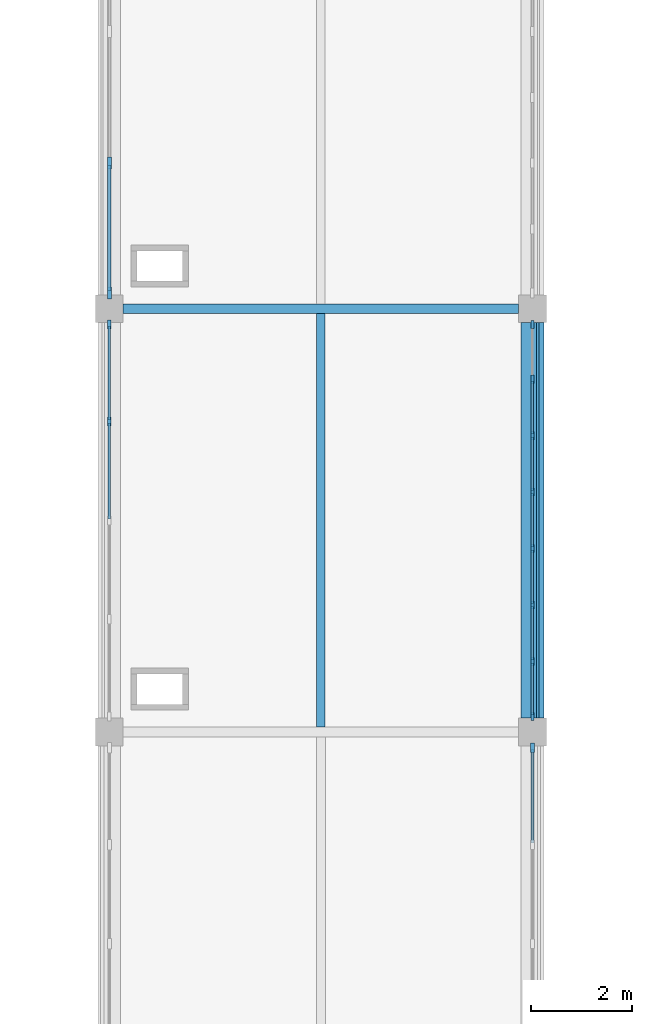
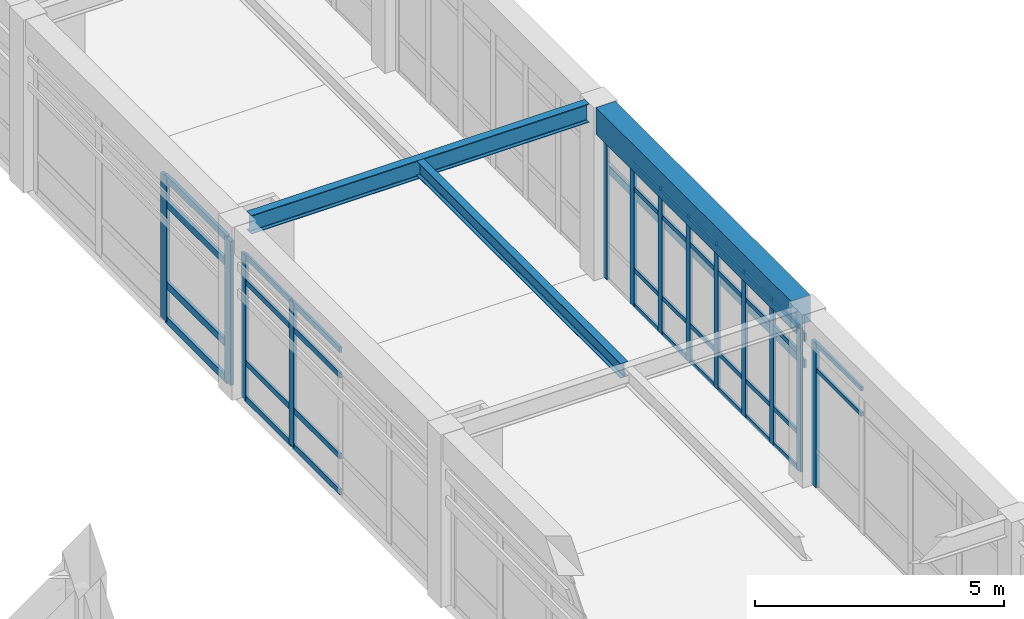
# One storey, part 23 of 78: 53 members, 3 beams, 4 elements without a shape of their own.
"""IFC4 building model written with IfcOpenShell, lengths in metres."""

from ifc_helpers import new_model, si_unit, direction, frame, origin, origin_2d, place, context, subcontext, project, spatial, rectangle, i_section, extrude, material, layer, layer_set, material_profile, profile_set, type_object, element, aggregate, save


model = new_model("IFC4")

# Units and contexts
model_context = context("Model", 3, precision=1e-05, world=origin(), true_north=direction((0.0, 1.0)))
body_context = subcontext(model_context, "Body", "Model", "MODEL_VIEW")
ifc_project = project(units=[si_unit("LENGTHUNIT", "METRE"), si_unit("AREAUNIT", "SQUARE_METRE"), si_unit("VOLUMEUNIT", "CUBIC_METRE"), si_unit("PLANEANGLEUNIT", "RADIAN"), si_unit("MASSUNIT", "GRAM", prefix="KILO")], contexts=[model_context])

# Site, building, storey
site_placement = place(None, origin())
site = spatial("IfcSite", under=ifc_project, at=site_placement, CompositionType="ELEMENT")
building_placement = place(site_placement, origin())
building = spatial("IfcBuilding", under=site, at=building_placement, Name="Porcellanite Civic Hall", CompositionType="ELEMENT")
storey_placement = place(building_placement, frame((0.0, 0.0, 10.260009765625)))
storey = spatial("IfcBuildingStorey", under=building, at=storey_placement, Name="L02", CompositionType="ELEMENT", Elevation=10.260009765625)

# Beam
ifc_material_1 = material(Name="Concrete N50 (50 MPa)", Category="concrete")
ifc_material_profile_1 = material_profile(ifc_material_1, rectangle(XDim=0.449951171875, YDim=0.64990234375, at=origin_2d()), Name="RC-450x650")
ifc_profile_set_1 = profile_set([ifc_material_profile_1], Name="Concrete N50 (50 MPa)")
beam_type_1 = type_object("IfcBeamType", Name="BM-RC650", PredefinedType="SPANDREL", material=ifc_profile_set_1)
beam_1_placement = place(storey_placement, frame((126.0, 75.87451171875, 3.9150390625), z_axis=(0.0, 1.0, 0.0), x_axis=(-1.0, 0.0, 0.0)))
element("IfcBeam", 1, at=beam_1_placement, inside=storey, type_object=beam_type_1, Name="Beam Y L02 16-10", PredefinedType="SPANDREL", context=body_context, shape_type="SweptSolid", body=[
    extrude(rectangle(XDim=0.449951171875, YDim=0.64990234375, at=origin_2d()), origin(), (0.0, 0.0, 1.0), 7.85107421875),
])

# Curtain wall, members
ifc_material_2 = material(Name="Anodised aluminium and solar laminated glass", Category="aluminium")
ifc_layer_1 = layer(ifc_material_2, 0.179931640625)
ifc_layer_set_1 = layer_set([ifc_layer_1], Name="Anodised aluminium and solar laminated glass")
curtain_wall_type_1 = type_object("IfcCurtainWallType", Name="CW-SYS08", PredefinedType="NOTDEFINED", material=ifc_layer_set_1)
curtain_wall_1_placement = place(storey_placement, origin())
curtain_wall_1 = element("IfcCurtainWall", 2, at=curtain_wall_1_placement, inside=storey, type_object=curtain_wall_type_1, Name="Curtain wall CW-166", PredefinedType="NOTDEFINED")
ifc_material_3 = material(Name="Anodised aluminium 6063-T6", Category="aluminium")
ifc_material_profile_2 = material_profile(ifc_material_3, rectangle(XDim=0.080078125, YDim=0.239990234375, at=origin_2d()), Name="AL-80x240")
ifc_profile_set_2 = profile_set([ifc_material_profile_2], Name="Anodised aluminium 6063-T6")
member_type_1 = type_object("IfcMemberType", Name="CWM-01", PredefinedType="MULLION", material=ifc_profile_set_2)
member_1_placement = place(storey_placement, frame((117.60009765625, 84.31591796875, 0.0), z_axis=(0.0, 0.0, 1.0), x_axis=(-1.0, 0.0, 0.0)))
member_1 = element("IfcMember", 3, at=member_1_placement, type_object=member_type_1, Name="CW-166 mullion 1", PredefinedType="MULLION", context=body_context, shape_type="SweptSolid", body=[
    extrude(rectangle(XDim=0.080078125, YDim=0.239990234375, at=origin_2d()), origin(), (0.0, 0.0, 1.0), 3.5400390625),
])
member_2_placement = place(storey_placement, frame((117.60009765625, 86.89208984375, 0.0), z_axis=(0.0, 0.0, 1.0), x_axis=(-1.0, 0.0, 0.0)))
member_2 = element("IfcMember", 4, at=member_2_placement, type_object=member_type_1, Name="CW-166 mullion 2", PredefinedType="MULLION", context=body_context, shape_type="SweptSolid", body=[
    extrude(rectangle(XDim=0.080078125, YDim=0.239990234375, at=origin_2d()), origin(), (0.0, 0.0, 1.0), 3.5400390625),
])

# Curtain wall, member
ifc_material_4 = material(Name="Anodised aluminium and solar laminated glass", Category="aluminium")
ifc_layer_2 = layer(ifc_material_4, 0.179931640625)
ifc_layer_set_2 = layer_set([ifc_layer_2], Name="Anodised aluminium and solar laminated glass")
curtain_wall_type_2 = type_object("IfcCurtainWallType", Name="CW-SYS04", PredefinedType="NOTDEFINED", material=ifc_layer_set_2)
curtain_wall_2_placement = place(storey_placement, origin())
curtain_wall_2 = element("IfcCurtainWall", 5, at=curtain_wall_2_placement, inside=storey, type_object=curtain_wall_type_2, Name="Curtain wall CW-163", PredefinedType="NOTDEFINED")
ifc_material_5 = material(Name="Anodised aluminium 6063-T6", Category="aluminium")
ifc_material_profile_3 = material_profile(ifc_material_5, rectangle(XDim=0.074951171875, YDim=0.18994140625, at=origin_2d()), Name="AL-75x190")
ifc_profile_set_3 = profile_set([ifc_material_profile_3], Name="Anodised aluminium 6063-T6")
member_type_2 = type_object("IfcMemberType", Name="CWM-04", PredefinedType="MULLION", material=ifc_profile_set_3)
member_3_placement = place(storey_placement, frame((126.0, 75.28662109375, 0.0), z_axis=(0.0, 0.0, 1.0), x_axis=(1.0, 0.0, 0.0)))
member_3 = element("IfcMember", 6, at=member_3_placement, type_object=member_type_2, Name="CW-163 mullion 1", PredefinedType="MULLION", context=body_context, shape_type="SweptSolid", body=[
    extrude(rectangle(XDim=0.074951171875, YDim=0.18994140625, at=origin_2d()), origin(), (0.0, 0.0, 1.0), 3.5400390625),
])

# Curtain wall, members
ifc_material_6 = material(Name="Anodised aluminium and solar laminated glass", Category="aluminium")
ifc_layer_3 = layer(ifc_material_6, 0.179931640625)
ifc_layer_set_3 = layer_set([ifc_layer_3], Name="Anodised aluminium and solar laminated glass")
curtain_wall_type_3 = type_object("IfcCurtainWallType", Name="CW-SYS06", PredefinedType="NOTDEFINED", material=ifc_layer_set_3)
curtain_wall_3_placement = place(storey_placement, origin())
curtain_wall_3 = element("IfcCurtainWall", 7, at=curtain_wall_3_placement, inside=storey, type_object=curtain_wall_type_3, Name="Curtain wall CW-164", PredefinedType="NOTDEFINED")
ifc_material_7 = material(Name="Anodised aluminium 6063-T6", Category="aluminium")
ifc_material_profile_4 = material_profile(ifc_material_7, rectangle(XDim=0.06494140625, YDim=0.179931640625, at=origin_2d()), Name="AL-65x180")
ifc_profile_set_4 = profile_set([ifc_material_profile_4], Name="Anodised aluminium 6063-T6")
member_type_3 = type_object("IfcMemberType", Name="CWM-06", PredefinedType="MULLION", material=ifc_profile_set_4)
member_4_placement = place(storey_placement, frame((117.60009765625, 81.761962890625, 0.0), z_axis=(0.0, 0.0, 1.0), x_axis=(-1.0, 0.0, 0.0)))
member_4 = element("IfcMember", 8, at=member_4_placement, type_object=member_type_3, Name="CW-164 mullion 4", PredefinedType="MULLION", context=body_context, shape_type="SweptSolid", body=[
    extrude(rectangle(XDim=0.06494140625, YDim=0.179931640625, at=origin_2d()), origin(), (0.0, 0.0, 1.0), 3.5400390625),
])
member_5_placement = place(storey_placement, frame((117.60009765625, 83.69140625, 0.0), z_axis=(0.0, 0.0, 1.0), x_axis=(-1.0, 0.0, 0.0)))
member_5 = element("IfcMember", 9, at=member_5_placement, type_object=member_type_3, Name="CW-164 mullion 5", PredefinedType="MULLION", context=body_context, shape_type="SweptSolid", body=[
    extrude(rectangle(XDim=0.06494140625, YDim=0.179931640625, at=origin_2d()), origin(), (0.0, 0.0, 1.0), 3.5400390625),
])

ifc_material_8 = material(Name="Anodised aluminium and solar laminated glass", Category="aluminium")
ifc_layer_4 = layer(ifc_material_8, 0.179931640625)
ifc_layer_set_4 = layer_set([ifc_layer_4], Name="Anodised aluminium and solar laminated glass")
curtain_wall_type_4 = type_object("IfcCurtainWallType", Name="CW-SYS07", PredefinedType="NOTDEFINED", material=ifc_layer_set_4)
curtain_wall_4_placement = place(storey_placement, origin())
curtain_wall_4 = element("IfcCurtainWall", 10, at=curtain_wall_4_placement, inside=storey, type_object=curtain_wall_type_4, Name="Curtain wall CW-165", PredefinedType="NOTDEFINED")
ifc_material_9 = material(Name="Anodised aluminium 6063-T6", Category="aluminium")
ifc_material_profile_5 = material_profile(ifc_material_9, rectangle(XDim=0.06005859375, YDim=0.159912109375, at=origin_2d()), Name="AL-60x160")
ifc_profile_set_5 = profile_set([ifc_material_profile_5], Name="Anodised aluminium 6063-T6")
member_type_4 = type_object("IfcMemberType", Name="CWM-07", PredefinedType="MULLION", material=ifc_profile_set_5)
member_6_placement = place(storey_placement, frame((126.0, 83.694091796875, 0.0), z_axis=(0.0, 0.0, 1.0), x_axis=(1.0, 0.0, 0.0)))
member_6 = element("IfcMember", 11, at=member_6_placement, type_object=member_type_4, Name="CW-165 mullion 1", PredefinedType="MULLION", context=body_context, shape_type="SweptSolid", body=[
    extrude(rectangle(XDim=0.06005859375, YDim=0.159912109375, at=origin_2d()), origin(), (0.0, 0.0, 1.0), 3.5400390625),
])
member_7_placement = place(storey_placement, frame((126.0, 82.602783203125, 0.0), z_axis=(0.0, 0.0, 1.0), x_axis=(1.0, 0.0, 0.0)))
member_7 = element("IfcMember", 12, at=member_7_placement, type_object=member_type_4, Name="CW-165 mullion 2", PredefinedType="MULLION", context=body_context, shape_type="SweptSolid", body=[
    extrude(rectangle(XDim=0.06005859375, YDim=0.159912109375, at=origin_2d()), origin(), (0.0, 0.0, 1.0), 3.5400390625),
])
member_8_placement = place(storey_placement, frame((126.0, 81.481689453125, 0.0), z_axis=(0.0, 0.0, 1.0), x_axis=(1.0, 0.0, 0.0)))
member_8 = element("IfcMember", 13, at=member_8_placement, type_object=member_type_4, Name="CW-165 mullion 3", PredefinedType="MULLION", context=body_context, shape_type="SweptSolid", body=[
    extrude(rectangle(XDim=0.06005859375, YDim=0.159912109375, at=origin_2d()), origin(), (0.0, 0.0, 1.0), 3.5400390625),
])
member_9_placement = place(storey_placement, frame((126.0, 80.360595703125, 0.0), z_axis=(0.0, 0.0, 1.0), x_axis=(1.0, 0.0, 0.0)))
member_9 = element("IfcMember", 14, at=member_9_placement, type_object=member_type_4, Name="CW-165 mullion 4", PredefinedType="MULLION", context=body_context, shape_type="SweptSolid", body=[
    extrude(rectangle(XDim=0.06005859375, YDim=0.159912109375, at=origin_2d()), origin(), (0.0, 0.0, 1.0), 3.5400390625),
])
member_10_placement = place(storey_placement, frame((126.0, 79.239501953125, 0.0), z_axis=(0.0, 0.0, 1.0), x_axis=(1.0, 0.0, 0.0)))
member_10 = element("IfcMember", 15, at=member_10_placement, type_object=member_type_4, Name="CW-165 mullion 5", PredefinedType="MULLION", context=body_context, shape_type="SweptSolid", body=[
    extrude(rectangle(XDim=0.06005859375, YDim=0.159912109375, at=origin_2d()), origin(), (0.0, 0.0, 1.0), 3.5400390625),
])
member_11_placement = place(storey_placement, frame((126.0, 78.1181640625, 0.0), z_axis=(0.0, 0.0, 1.0), x_axis=(1.0, 0.0, 0.0)))
member_11 = element("IfcMember", 16, at=member_11_placement, type_object=member_type_4, Name="CW-165 mullion 6", PredefinedType="MULLION", context=body_context, shape_type="SweptSolid", body=[
    extrude(rectangle(XDim=0.06005859375, YDim=0.159912109375, at=origin_2d()), origin(), (0.0, 0.0, 1.0), 3.5400390625),
])
member_12_placement = place(storey_placement, frame((126.0, 76.9970703125, 0.0), z_axis=(0.0, 0.0, 1.0), x_axis=(1.0, 0.0, 0.0)))
member_12 = element("IfcMember", 17, at=member_12_placement, type_object=member_type_4, Name="CW-165 mullion 7", PredefinedType="MULLION", context=body_context, shape_type="SweptSolid", body=[
    extrude(rectangle(XDim=0.06005859375, YDim=0.159912109375, at=origin_2d()), origin(), (0.0, 0.0, 1.0), 3.5400390625),
])
member_13_placement = place(storey_placement, frame((126.0, 75.906005859375, 0.0), z_axis=(0.0, 0.0, 1.0), x_axis=(1.0, 0.0, 0.0)))
member_13 = element("IfcMember", 18, at=member_13_placement, type_object=member_type_4, Name="CW-165 mullion 8", PredefinedType="MULLION", context=body_context, shape_type="SweptSolid", body=[
    extrude(rectangle(XDim=0.06005859375, YDim=0.159912109375, at=origin_2d()), origin(), (0.0, 0.0, 1.0), 3.5400390625),
])

# Member
ifc_material_10 = material(Name="Anodised aluminium 6063-T6", Category="aluminium")
ifc_material_profile_6 = material_profile(ifc_material_10, rectangle(XDim=0.070068359375, YDim=0.175048828125, at=origin_2d()), Name="AL-70x175")
ifc_profile_set_6 = profile_set([ifc_material_profile_6], Name="Anodised aluminium 6063-T6")
member_type_5 = type_object("IfcMemberType", Name="CWT-01", PredefinedType="USERDEFINED", material=ifc_profile_set_6)
member_14_placement = place(storey_placement, frame((117.60009765625, 84.35595703125, 0.034912109375), z_axis=(0.0, 1.0, 0.0), x_axis=(-1.0, 0.0, 0.0)))
member_14 = element("IfcMember", 19, at=member_14_placement, type_object=member_type_5, Name="CW-166 transom 1.1", ObjectType="TRANSOM", PredefinedType="USERDEFINED", context=body_context, shape_type="SweptSolid", body=[
    extrude(rectangle(XDim=0.070068359375, YDim=0.175048828125, at=origin_2d()), origin(), (0.0, 0.0, 1.0), 2.49609375),
])

member_15_placement = place(storey_placement, frame((117.60009765625, 84.35595703125, 0.89990234375), z_axis=(0.0, 1.0, 0.0), x_axis=(-1.0, 0.0, 0.0)))
member_15 = element("IfcMember", 20, at=member_15_placement, type_object=member_type_5, Name="CW-166 transom 1.2", ObjectType="TRANSOM", PredefinedType="USERDEFINED", context=body_context, shape_type="SweptSolid", body=[
    extrude(rectangle(XDim=0.070068359375, YDim=0.175048828125, at=origin_2d()), origin(), (0.0, 0.0, 1.0), 2.49609375),
])

member_16_placement = place(storey_placement, frame((117.60009765625, 84.35595703125, 2.889892578125), z_axis=(0.0, 1.0, 0.0), x_axis=(-1.0, 0.0, 0.0)))
member_16 = element("IfcMember", 21, at=member_16_placement, type_object=member_type_5, Name="CW-166 transom 1.3", ObjectType="TRANSOM", PredefinedType="USERDEFINED", context=body_context, shape_type="SweptSolid", body=[
    extrude(rectangle(XDim=0.070068359375, YDim=0.175048828125, at=origin_2d()), origin(), (0.0, 0.0, 1.0), 2.49609375),
])

member_17_placement = place(storey_placement, frame((117.60009765625, 84.35595703125, 3.5048828125), z_axis=(0.0, 1.0, 0.0), x_axis=(-1.0, 0.0, 0.0)))
member_17 = element("IfcMember", 22, at=member_17_placement, type_object=member_type_5, Name="CW-166 transom 1.4", ObjectType="TRANSOM", PredefinedType="USERDEFINED", context=body_context, shape_type="SweptSolid", body=[
    extrude(rectangle(XDim=0.070068359375, YDim=0.175048828125, at=origin_2d()), origin(), (0.0, 0.0, 1.0), 2.49609375),
])

aggregate(curtain_wall_1, [member_1, member_2, member_14, member_15, member_16, member_17])

ifc_material_11 = material(Name="Anodised aluminium 6063-T6", Category="aluminium")
ifc_material_profile_7 = material_profile(ifc_material_11, rectangle(XDim=0.054931640625, YDim=0.10009765625, at=origin_2d()), Name="AL-55x100")
ifc_profile_set_7 = profile_set([ifc_material_profile_7], Name="Anodised aluminium 6063-T6")
member_type_6 = type_object("IfcMemberType", Name="CWT-05", PredefinedType="USERDEFINED", material=ifc_profile_set_7)
member_18_placement = place(storey_placement, frame((126.0, 75.2490234375, 2.889892578125), z_axis=(0.0, -1.0, 0.0), x_axis=(1.0, 0.0, 0.0)))
member_18 = element("IfcMember", 23, at=member_18_placement, type_object=member_type_6, Name="CW-163 transom 1.3", ObjectType="TRANSOM", PredefinedType="USERDEFINED", context=body_context, shape_type="SweptSolid", body=[
    extrude(rectangle(XDim=0.054931640625, YDim=0.10009765625, at=origin_2d()), origin(), (0.0, 0.0, 1.0), 1.849609375),
])

member_19_placement = place(storey_placement, frame((126.0, 75.2490234375, 3.512451171875), z_axis=(0.0, -1.0, 0.0), x_axis=(1.0, 0.0, 0.0)))
member_19 = element("IfcMember", 24, at=member_19_placement, type_object=member_type_6, Name="CW-163 transom 1.4", ObjectType="TRANSOM", PredefinedType="USERDEFINED", context=body_context, shape_type="SweptSolid", body=[
    extrude(rectangle(XDim=0.054931640625, YDim=0.10009765625, at=origin_2d()), origin(), (0.0, 0.0, 1.0), 1.849609375),
])

aggregate(curtain_wall_2, [member_3, member_18, member_19])

ifc_material_12 = material(Name="Anodised aluminium 6063-T6", Category="aluminium")
ifc_material_profile_8 = material_profile(ifc_material_12, rectangle(XDim=0.050048828125, YDim=0.139892578125, at=origin_2d()), Name="AL-50x140")
ifc_profile_set_8 = profile_set([ifc_material_profile_8], Name="Anodised aluminium 6063-T6")
member_type_7 = type_object("IfcMemberType", Name="CWT-06", PredefinedType="USERDEFINED", material=ifc_profile_set_8)
member_20_placement = place(storey_placement, frame((117.60009765625, 79.83251953125, 0.02490234375), z_axis=(0.0, 1.0, 0.0), x_axis=(-1.0, 0.0, 0.0)))
member_20 = element("IfcMember", 25, at=member_20_placement, type_object=member_type_7, Name="CW-164 transom 3.1", ObjectType="TRANSOM", PredefinedType="USERDEFINED", context=body_context, shape_type="SweptSolid", body=[
    extrude(rectangle(XDim=0.050048828125, YDim=0.139892578125, at=origin_2d()), origin(), (0.0, 0.0, 1.0), 1.89697265625),
])

member_21_placement = place(storey_placement, frame((117.60009765625, 79.83251953125, 0.89990234375), z_axis=(0.0, 1.0, 0.0), x_axis=(-1.0, 0.0, 0.0)))
member_21 = element("IfcMember", 26, at=member_21_placement, type_object=member_type_7, Name="CW-164 transom 3.2", ObjectType="TRANSOM", PredefinedType="USERDEFINED", context=body_context, shape_type="SweptSolid", body=[
    extrude(rectangle(XDim=0.050048828125, YDim=0.139892578125, at=origin_2d()), origin(), (0.0, 0.0, 1.0), 1.89697265625),
])

member_22_placement = place(storey_placement, frame((117.60009765625, 79.83251953125, 2.889892578125), z_axis=(0.0, 1.0, 0.0), x_axis=(-1.0, 0.0, 0.0)))
member_22 = element("IfcMember", 27, at=member_22_placement, type_object=member_type_7, Name="CW-164 transom 3.3", ObjectType="TRANSOM", PredefinedType="USERDEFINED", context=body_context, shape_type="SweptSolid", body=[
    extrude(rectangle(XDim=0.050048828125, YDim=0.139892578125, at=origin_2d()), origin(), (0.0, 0.0, 1.0), 1.89697265625),
])

member_23_placement = place(storey_placement, frame((117.60009765625, 79.83251953125, 3.514892578125), z_axis=(0.0, 1.0, 0.0), x_axis=(-1.0, 0.0, 0.0)))
member_23 = element("IfcMember", 28, at=member_23_placement, type_object=member_type_7, Name="CW-164 transom 3.4", ObjectType="TRANSOM", PredefinedType="USERDEFINED", context=body_context, shape_type="SweptSolid", body=[
    extrude(rectangle(XDim=0.050048828125, YDim=0.139892578125, at=origin_2d()), origin(), (0.0, 0.0, 1.0), 1.89697265625),
])

member_24_placement = place(storey_placement, frame((117.60009765625, 81.79443359375, 0.02490234375), z_axis=(0.0, 1.0, 0.0), x_axis=(-1.0, 0.0, 0.0)))
member_24 = element("IfcMember", 29, at=member_24_placement, type_object=member_type_7, Name="CW-164 transom 4.1", ObjectType="TRANSOM", PredefinedType="USERDEFINED", context=body_context, shape_type="SweptSolid", body=[
    extrude(rectangle(XDim=0.050048828125, YDim=0.139892578125, at=origin_2d()), origin(), (0.0, 0.0, 1.0), 1.864501953125),
])

member_25_placement = place(storey_placement, frame((117.60009765625, 81.79443359375, 0.89990234375), z_axis=(0.0, 1.0, 0.0), x_axis=(-1.0, 0.0, 0.0)))
member_25 = element("IfcMember", 30, at=member_25_placement, type_object=member_type_7, Name="CW-164 transom 4.2", ObjectType="TRANSOM", PredefinedType="USERDEFINED", context=body_context, shape_type="SweptSolid", body=[
    extrude(rectangle(XDim=0.050048828125, YDim=0.139892578125, at=origin_2d()), origin(), (0.0, 0.0, 1.0), 1.864501953125),
])

member_26_placement = place(storey_placement, frame((117.60009765625, 81.79443359375, 2.889892578125), z_axis=(0.0, 1.0, 0.0), x_axis=(-1.0, 0.0, 0.0)))
member_26 = element("IfcMember", 31, at=member_26_placement, type_object=member_type_7, Name="CW-164 transom 4.3", ObjectType="TRANSOM", PredefinedType="USERDEFINED", context=body_context, shape_type="SweptSolid", body=[
    extrude(rectangle(XDim=0.050048828125, YDim=0.139892578125, at=origin_2d()), origin(), (0.0, 0.0, 1.0), 1.864501953125),
])

member_27_placement = place(storey_placement, frame((117.60009765625, 81.79443359375, 3.514892578125), z_axis=(0.0, 1.0, 0.0), x_axis=(-1.0, 0.0, 0.0)))
member_27 = element("IfcMember", 32, at=member_27_placement, type_object=member_type_7, Name="CW-164 transom 4.4", ObjectType="TRANSOM", PredefinedType="USERDEFINED", context=body_context, shape_type="SweptSolid", body=[
    extrude(rectangle(XDim=0.050048828125, YDim=0.139892578125, at=origin_2d()), origin(), (0.0, 0.0, 1.0), 1.864501953125),
])

aggregate(curtain_wall_3, [member_4, member_5, member_20, member_21, member_22, member_23, member_24, member_25, member_26, member_27])

ifc_material_13 = material(Name="Anodised aluminium 6063-T6", Category="aluminium")
ifc_material_profile_9 = material_profile(ifc_material_13, rectangle(XDim=0.050048828125, YDim=0.110107421875, at=origin_2d()), Name="AL-50x110")
ifc_profile_set_9 = profile_set([ifc_material_profile_9], Name="Anodised aluminium 6063-T6")
member_type_8 = type_object("IfcMemberType", Name="CWT-07", PredefinedType="USERDEFINED", material=ifc_profile_set_9)
member_28_placement = place(storey_placement, frame((126.0, 82.57275390625, 0.02490234375), z_axis=(0.0, -1.0, 0.0), x_axis=(1.0, 0.0, 0.0)))
member_28 = element("IfcMember", 33, at=member_28_placement, type_object=member_type_8, Name="CW-165 transom 2.1", ObjectType="TRANSOM", PredefinedType="USERDEFINED", context=body_context, shape_type="SweptSolid", body=[
    extrude(rectangle(XDim=0.050048828125, YDim=0.110107421875, at=origin_2d()), origin(), (0.0, 0.0, 1.0), 1.06103515625),
])

member_29_placement = place(storey_placement, frame((126.0, 82.57275390625, 0.89990234375), z_axis=(0.0, -1.0, 0.0), x_axis=(1.0, 0.0, 0.0)))
member_29 = element("IfcMember", 34, at=member_29_placement, type_object=member_type_8, Name="CW-165 transom 2.2", ObjectType="TRANSOM", PredefinedType="USERDEFINED", context=body_context, shape_type="SweptSolid", body=[
    extrude(rectangle(XDim=0.050048828125, YDim=0.110107421875, at=origin_2d()), origin(), (0.0, 0.0, 1.0), 1.06103515625),
])

member_30_placement = place(storey_placement, frame((126.0, 82.57275390625, 2.889892578125), z_axis=(0.0, -1.0, 0.0), x_axis=(1.0, 0.0, 0.0)))
member_30 = element("IfcMember", 35, at=member_30_placement, type_object=member_type_8, Name="CW-165 transom 2.3", ObjectType="TRANSOM", PredefinedType="USERDEFINED", context=body_context, shape_type="SweptSolid", body=[
    extrude(rectangle(XDim=0.050048828125, YDim=0.110107421875, at=origin_2d()), origin(), (0.0, 0.0, 1.0), 1.06103515625),
])

member_31_placement = place(storey_placement, frame((126.0, 82.57275390625, 3.514892578125), z_axis=(0.0, -1.0, 0.0), x_axis=(1.0, 0.0, 0.0)))
member_31 = element("IfcMember", 36, at=member_31_placement, type_object=member_type_8, Name="CW-165 transom 2.4", ObjectType="TRANSOM", PredefinedType="USERDEFINED", context=body_context, shape_type="SweptSolid", body=[
    extrude(rectangle(XDim=0.050048828125, YDim=0.110107421875, at=origin_2d()), origin(), (0.0, 0.0, 1.0), 1.06103515625),
])

member_32_placement = place(storey_placement, frame((126.0, 81.45166015625, 0.02490234375), z_axis=(0.0, -1.0, 0.0), x_axis=(1.0, 0.0, 0.0)))
member_32 = element("IfcMember", 37, at=member_32_placement, type_object=member_type_8, Name="CW-165 transom 3.1", ObjectType="TRANSOM", PredefinedType="USERDEFINED", context=body_context, shape_type="SweptSolid", body=[
    extrude(rectangle(XDim=0.050048828125, YDim=0.110107421875, at=origin_2d()), origin(), (0.0, 0.0, 1.0), 1.06103515625),
])

member_33_placement = place(storey_placement, frame((126.0, 81.45166015625, 0.89990234375), z_axis=(0.0, -1.0, 0.0), x_axis=(1.0, 0.0, 0.0)))
member_33 = element("IfcMember", 38, at=member_33_placement, type_object=member_type_8, Name="CW-165 transom 3.2", ObjectType="TRANSOM", PredefinedType="USERDEFINED", context=body_context, shape_type="SweptSolid", body=[
    extrude(rectangle(XDim=0.050048828125, YDim=0.110107421875, at=origin_2d()), origin(), (0.0, 0.0, 1.0), 1.06103515625),
])

member_34_placement = place(storey_placement, frame((126.0, 81.45166015625, 2.889892578125), z_axis=(0.0, -1.0, 0.0), x_axis=(1.0, 0.0, 0.0)))
member_34 = element("IfcMember", 39, at=member_34_placement, type_object=member_type_8, Name="CW-165 transom 3.3", ObjectType="TRANSOM", PredefinedType="USERDEFINED", context=body_context, shape_type="SweptSolid", body=[
    extrude(rectangle(XDim=0.050048828125, YDim=0.110107421875, at=origin_2d()), origin(), (0.0, 0.0, 1.0), 1.06103515625),
])

member_35_placement = place(storey_placement, frame((126.0, 81.45166015625, 3.514892578125), z_axis=(0.0, -1.0, 0.0), x_axis=(1.0, 0.0, 0.0)))
member_35 = element("IfcMember", 40, at=member_35_placement, type_object=member_type_8, Name="CW-165 transom 3.4", ObjectType="TRANSOM", PredefinedType="USERDEFINED", context=body_context, shape_type="SweptSolid", body=[
    extrude(rectangle(XDim=0.050048828125, YDim=0.110107421875, at=origin_2d()), origin(), (0.0, 0.0, 1.0), 1.06103515625),
])

member_36_placement = place(storey_placement, frame((126.0, 80.33056640625, 0.02490234375), z_axis=(0.0, -1.0, 0.0), x_axis=(1.0, 0.0, 0.0)))
member_36 = element("IfcMember", 41, at=member_36_placement, type_object=member_type_8, Name="CW-165 transom 4.1", ObjectType="TRANSOM", PredefinedType="USERDEFINED", context=body_context, shape_type="SweptSolid", body=[
    extrude(rectangle(XDim=0.050048828125, YDim=0.110107421875, at=origin_2d()), origin(), (0.0, 0.0, 1.0), 1.06103515625),
])

member_37_placement = place(storey_placement, frame((126.0, 80.33056640625, 0.89990234375), z_axis=(0.0, -1.0, 0.0), x_axis=(1.0, 0.0, 0.0)))
member_37 = element("IfcMember", 42, at=member_37_placement, type_object=member_type_8, Name="CW-165 transom 4.2", ObjectType="TRANSOM", PredefinedType="USERDEFINED", context=body_context, shape_type="SweptSolid", body=[
    extrude(rectangle(XDim=0.050048828125, YDim=0.110107421875, at=origin_2d()), origin(), (0.0, 0.0, 1.0), 1.06103515625),
])

member_38_placement = place(storey_placement, frame((126.0, 80.33056640625, 2.889892578125), z_axis=(0.0, -1.0, 0.0), x_axis=(1.0, 0.0, 0.0)))
member_38 = element("IfcMember", 43, at=member_38_placement, type_object=member_type_8, Name="CW-165 transom 4.3", ObjectType="TRANSOM", PredefinedType="USERDEFINED", context=body_context, shape_type="SweptSolid", body=[
    extrude(rectangle(XDim=0.050048828125, YDim=0.110107421875, at=origin_2d()), origin(), (0.0, 0.0, 1.0), 1.06103515625),
])

member_39_placement = place(storey_placement, frame((126.0, 80.33056640625, 3.514892578125), z_axis=(0.0, -1.0, 0.0), x_axis=(1.0, 0.0, 0.0)))
member_39 = element("IfcMember", 44, at=member_39_placement, type_object=member_type_8, Name="CW-165 transom 4.4", ObjectType="TRANSOM", PredefinedType="USERDEFINED", context=body_context, shape_type="SweptSolid", body=[
    extrude(rectangle(XDim=0.050048828125, YDim=0.110107421875, at=origin_2d()), origin(), (0.0, 0.0, 1.0), 1.06103515625),
])

member_40_placement = place(storey_placement, frame((126.0, 79.20947265625, 0.02490234375), z_axis=(0.0, -1.0, 0.0), x_axis=(1.0, 0.0, 0.0)))
member_40 = element("IfcMember", 45, at=member_40_placement, type_object=member_type_8, Name="CW-165 transom 5.1", ObjectType="TRANSOM", PredefinedType="USERDEFINED", context=body_context, shape_type="SweptSolid", body=[
    extrude(rectangle(XDim=0.050048828125, YDim=0.110107421875, at=origin_2d()), origin(), (0.0, 0.0, 1.0), 1.061279296875),
])

member_41_placement = place(storey_placement, frame((126.0, 79.20947265625, 0.89990234375), z_axis=(0.0, -1.0, 0.0), x_axis=(1.0, 0.0, 0.0)))
member_41 = element("IfcMember", 46, at=member_41_placement, type_object=member_type_8, Name="CW-165 transom 5.2", ObjectType="TRANSOM", PredefinedType="USERDEFINED", context=body_context, shape_type="SweptSolid", body=[
    extrude(rectangle(XDim=0.050048828125, YDim=0.110107421875, at=origin_2d()), origin(), (0.0, 0.0, 1.0), 1.061279296875),
])

member_42_placement = place(storey_placement, frame((126.0, 79.20947265625, 2.889892578125), z_axis=(0.0, -1.0, 0.0), x_axis=(1.0, 0.0, 0.0)))
member_42 = element("IfcMember", 47, at=member_42_placement, type_object=member_type_8, Name="CW-165 transom 5.3", ObjectType="TRANSOM", PredefinedType="USERDEFINED", context=body_context, shape_type="SweptSolid", body=[
    extrude(rectangle(XDim=0.050048828125, YDim=0.110107421875, at=origin_2d()), origin(), (0.0, 0.0, 1.0), 1.061279296875),
])

member_43_placement = place(storey_placement, frame((126.0, 79.20947265625, 3.514892578125), z_axis=(0.0, -1.0, 0.0), x_axis=(1.0, 0.0, 0.0)))
member_43 = element("IfcMember", 48, at=member_43_placement, type_object=member_type_8, Name="CW-165 transom 5.4", ObjectType="TRANSOM", PredefinedType="USERDEFINED", context=body_context, shape_type="SweptSolid", body=[
    extrude(rectangle(XDim=0.050048828125, YDim=0.110107421875, at=origin_2d()), origin(), (0.0, 0.0, 1.0), 1.061279296875),
])

member_44_placement = place(storey_placement, frame((126.0, 78.08837890625, 0.02490234375), z_axis=(0.0, -1.0, 0.0), x_axis=(1.0, 0.0, 0.0)))
member_44 = element("IfcMember", 49, at=member_44_placement, type_object=member_type_8, Name="CW-165 transom 6.1", ObjectType="TRANSOM", PredefinedType="USERDEFINED", context=body_context, shape_type="SweptSolid", body=[
    extrude(rectangle(XDim=0.050048828125, YDim=0.110107421875, at=origin_2d()), origin(), (0.0, 0.0, 1.0), 1.061279296875),
])

member_45_placement = place(storey_placement, frame((126.0, 78.08837890625, 0.89990234375), z_axis=(0.0, -1.0, 0.0), x_axis=(1.0, 0.0, 0.0)))
member_45 = element("IfcMember", 50, at=member_45_placement, type_object=member_type_8, Name="CW-165 transom 6.2", ObjectType="TRANSOM", PredefinedType="USERDEFINED", context=body_context, shape_type="SweptSolid", body=[
    extrude(rectangle(XDim=0.050048828125, YDim=0.110107421875, at=origin_2d()), origin(), (0.0, 0.0, 1.0), 1.061279296875),
])

member_46_placement = place(storey_placement, frame((126.0, 78.08837890625, 2.889892578125), z_axis=(0.0, -1.0, 0.0), x_axis=(1.0, 0.0, 0.0)))
member_46 = element("IfcMember", 51, at=member_46_placement, type_object=member_type_8, Name="CW-165 transom 6.3", ObjectType="TRANSOM", PredefinedType="USERDEFINED", context=body_context, shape_type="SweptSolid", body=[
    extrude(rectangle(XDim=0.050048828125, YDim=0.110107421875, at=origin_2d()), origin(), (0.0, 0.0, 1.0), 1.061279296875),
])

member_47_placement = place(storey_placement, frame((126.0, 78.08837890625, 3.514892578125), z_axis=(0.0, -1.0, 0.0), x_axis=(1.0, 0.0, 0.0)))
member_47 = element("IfcMember", 52, at=member_47_placement, type_object=member_type_8, Name="CW-165 transom 6.4", ObjectType="TRANSOM", PredefinedType="USERDEFINED", context=body_context, shape_type="SweptSolid", body=[
    extrude(rectangle(XDim=0.050048828125, YDim=0.110107421875, at=origin_2d()), origin(), (0.0, 0.0, 1.0), 1.061279296875),
])

member_48_placement = place(storey_placement, frame((126.0, 76.967041015625, 0.02490234375), z_axis=(0.0, -1.0, 0.0), x_axis=(1.0, 0.0, 0.0)))
member_48 = element("IfcMember", 53, at=member_48_placement, type_object=member_type_8, Name="CW-165 transom 7.1", ObjectType="TRANSOM", PredefinedType="USERDEFINED", context=body_context, shape_type="SweptSolid", body=[
    extrude(rectangle(XDim=0.050048828125, YDim=0.110107421875, at=origin_2d()), origin(), (0.0, 0.0, 1.0), 1.031005859375),
])

member_49_placement = place(storey_placement, frame((126.0, 76.967041015625, 0.89990234375), z_axis=(0.0, -1.0, 0.0), x_axis=(1.0, 0.0, 0.0)))
member_49 = element("IfcMember", 54, at=member_49_placement, type_object=member_type_8, Name="CW-165 transom 7.2", ObjectType="TRANSOM", PredefinedType="USERDEFINED", context=body_context, shape_type="SweptSolid", body=[
    extrude(rectangle(XDim=0.050048828125, YDim=0.110107421875, at=origin_2d()), origin(), (0.0, 0.0, 1.0), 1.031005859375),
])

member_50_placement = place(storey_placement, frame((126.0, 76.967041015625, 2.889892578125), z_axis=(0.0, -1.0, 0.0), x_axis=(1.0, 0.0, 0.0)))
member_50 = element("IfcMember", 55, at=member_50_placement, type_object=member_type_8, Name="CW-165 transom 7.3", ObjectType="TRANSOM", PredefinedType="USERDEFINED", context=body_context, shape_type="SweptSolid", body=[
    extrude(rectangle(XDim=0.050048828125, YDim=0.110107421875, at=origin_2d()), origin(), (0.0, 0.0, 1.0), 1.031005859375),
])

member_51_placement = place(storey_placement, frame((126.0, 76.967041015625, 3.514892578125), z_axis=(0.0, -1.0, 0.0), x_axis=(1.0, 0.0, 0.0)))
member_51 = element("IfcMember", 56, at=member_51_placement, type_object=member_type_8, Name="CW-165 transom 7.4", ObjectType="TRANSOM", PredefinedType="USERDEFINED", context=body_context, shape_type="SweptSolid", body=[
    extrude(rectangle(XDim=0.050048828125, YDim=0.110107421875, at=origin_2d()), origin(), (0.0, 0.0, 1.0), 1.031005859375),
])

aggregate(curtain_wall_4, [member_6, member_7, member_8, member_9, member_10, member_11, member_12, member_13, member_28, member_29, member_30, member_31, member_32, member_33, member_34, member_35, member_36, member_37, member_38, member_39, member_40, member_41, member_42, member_43, member_44, member_45, member_46, member_47, member_48, member_49, member_50, member_51])

# Beam
ifc_material_14 = material(Name="Steel Grade 350", Category="steel")
ifc_material_profile_10 = material_profile(ifc_material_14, i_section(OverallWidth=0.172119140625, OverallDepth=0.35888671875, WebThickness=0.008056640625, FlangeThickness=0.012939453125, FilletRadius=0.011474609375, at=origin_2d()), Name="360UB56.7")
ifc_profile_set_10 = profile_set([ifc_material_profile_10], Name="Steel Grade 350")
beam_type_2 = type_object("IfcBeamType", Name="JST-360UB57", PredefinedType="JOIST", material=ifc_profile_set_10)
beam_2_placement = place(storey_placement, frame((121.800048828125, 75.694580078125, 4.060546875), z_axis=(0.0, 1.0, 0.0), x_axis=(-1.0, 0.0, 0.0)))
element("IfcBeam", 57, at=beam_2_placement, inside=storey, type_object=beam_type_2, Name="Secondary joist L02 15-10", PredefinedType="JOIST", context=body_context, shape_type="SweptSolid", body=[
    extrude(i_section(OverallWidth=0.172119140625, OverallDepth=0.35888671875, WebThickness=0.008056640625, FlangeThickness=0.012939453125, FilletRadius=0.011474609375, at=origin_2d()), origin(), (0.0, 0.0, 1.0), 8.2109375),
])

# Members
ifc_material_15 = material(Name="Fluoropolymer bauxite-red aluminium 6063-T6", Category="aluminium")
ifc_material_profile_11 = material_profile(ifc_material_15, rectangle(XDim=0.050048828125, YDim=0.199951171875, at=origin_2d()), Name="AL-50x200")
ifc_profile_set_11 = profile_set([ifc_material_profile_11], Name="Fluoropolymer bauxite-red aluminium 6063-T6")
member_type_9 = type_object("IfcMemberType", Name="LV-BLD10", PredefinedType="USERDEFINED", material=ifc_profile_set_11)
for number, where, z_axis, x_axis, name in (
    (58, (126.10693359375, 83.7255859375, 3.239990234375), (0.0, -1.0, 0.0), (1.0, 0.0, 0.0), "Cyclone sunshade louvre L02 E 14-9 1"),
    (59, (126.10693359375, 83.7255859375, 2.590087890625), (0.0, -1.0, 0.0), (1.0, 0.0, 0.0), "Cyclone sunshade louvre L02 E 14-9 2"),
):
    element("IfcMember", number, at=place(storey_placement, frame(where, z_axis=z_axis, x_axis=x_axis)), inside=storey, type_object=member_type_9, Name=name, ObjectType="LOUVRE BLADE", PredefinedType="USERDEFINED", context=body_context, shape_type="SweptSolid", body=[
        extrude(rectangle(XDim=0.050048828125, YDim=0.199951171875, at=origin_2d()), origin(), (0.0, 0.0, 1.0), 7.85107421875),
    ])

# Beam
ifc_material_16 = material(Name="Steel Grade 350", Category="steel")
ifc_material_profile_12 = material_profile(ifc_material_16, i_section(OverallWidth=0.18994140625, OverallDepth=0.4541015625, WebThickness=0.008544921875, FlangeThickness=0.0126953125, FilletRadius=0.011474609375, at=origin_2d()), Name="460UB67.1")
ifc_profile_set_12 = profile_set([ifc_material_profile_12], Name="Steel Grade 350")
beam_type_3 = type_object("IfcBeamType", Name="RAF-460UB67", PredefinedType="BEAM", material=ifc_profile_set_12)
beam_3_placement = place(storey_placement, frame((117.87451171875, 84.0, 4.012939453125), z_axis=(1.0, 0.0, 0.0), x_axis=(0.0, 1.0, 0.0)))
element("IfcBeam", 60, at=beam_3_placement, inside=storey, type_object=beam_type_3, Name="Beam X L02 15-11", PredefinedType="BEAM", context=body_context, shape_type="SweptSolid", body=[
    extrude(i_section(OverallWidth=0.18994140625, OverallDepth=0.4541015625, WebThickness=0.008544921875, FlangeThickness=0.0126953125, FilletRadius=0.011474609375, at=origin_2d()), origin(), (0.0, 0.0, 1.0), 7.85107421875),
])

save(model, "model.ifc")
